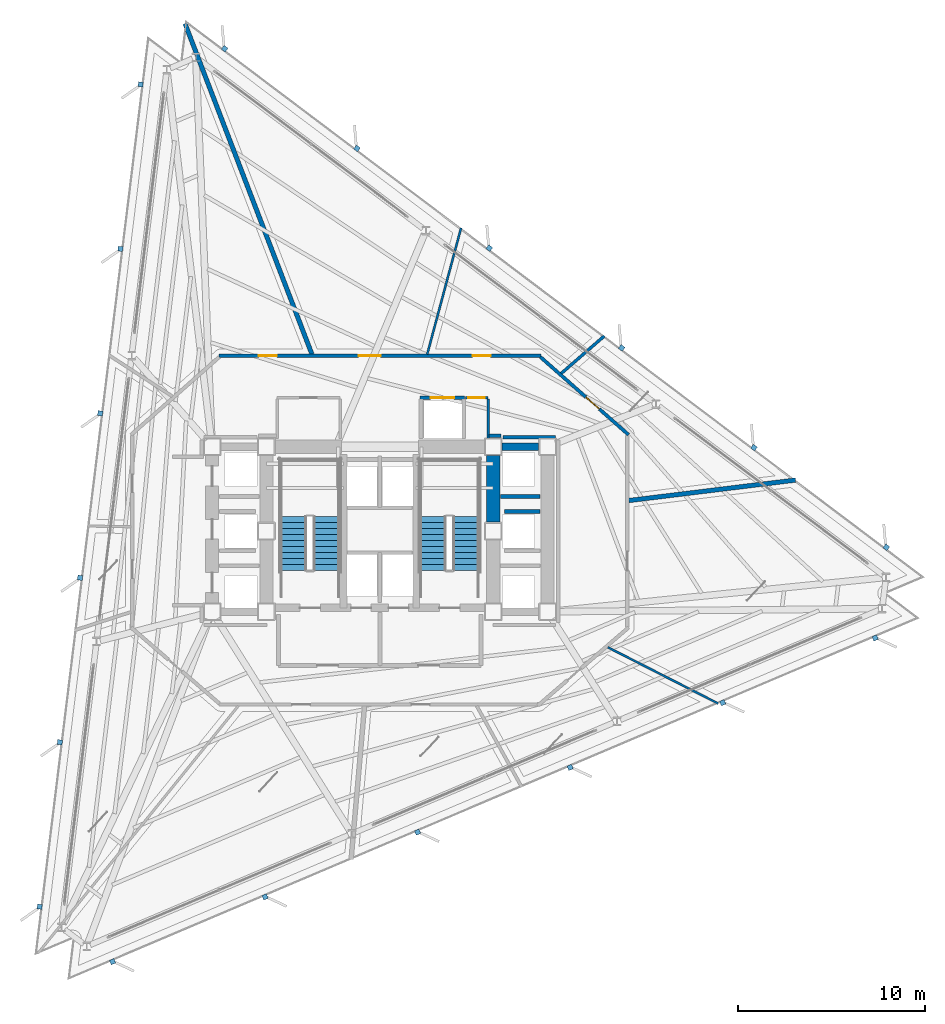
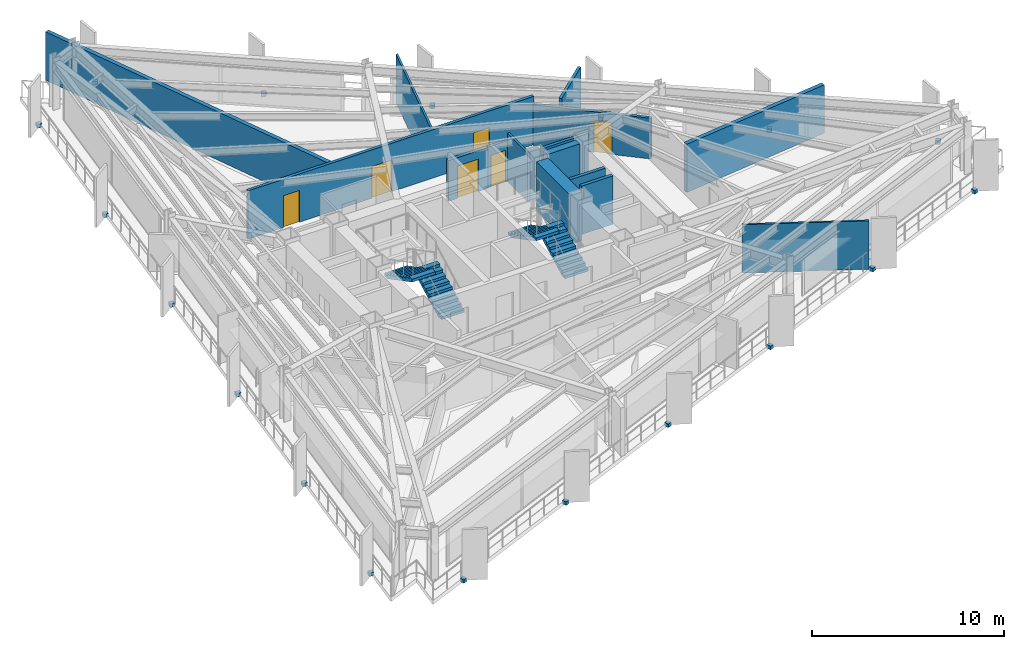
# One storey, part 8 of 13: 18 discrete accessories, 16 walls, 6 doors, 4 stair flights, 6 openings, 2 elements without a shape of their own.
"""IFC4 building model written with IfcOpenShell, lengths in metres."""

from ifc_helpers import new_model, si_unit, direction, frame, frame_2d, origin, origin_2d, place, context, subcontext, project, spatial, polyline, rectangle, outline, extrude, material, layer, layer_set, type_object, element, fill, aggregate, save


model = new_model("IFC4")

# Units and contexts
model_context = context("Model", 3, precision=1e-05, world=origin(), true_north=direction((0.0, 1.0)))
body_context = subcontext(model_context, "Body", "Model", "MODEL_VIEW")
ifc_project = project(units=[si_unit("LENGTHUNIT", "METRE"), si_unit("AREAUNIT", "SQUARE_METRE"), si_unit("VOLUMEUNIT", "CUBIC_METRE"), si_unit("PLANEANGLEUNIT", "RADIAN"), si_unit("MASSUNIT", "GRAM", prefix="KILO")], contexts=[model_context])

# Site, building, storey
site_placement = place(None, origin())
site = spatial("IfcSite", under=ifc_project, at=site_placement, CompositionType="ELEMENT")
building_placement = place(site_placement, origin())
building = spatial("IfcBuilding", under=site, at=building_placement, Name="Rocaltana Carrier Exchange", CompositionType="ELEMENT")
storey_placement = place(building_placement, frame((0.0, 0.0, 63.0400390625)))
storey = spatial("IfcBuildingStorey", under=building, at=storey_placement, Name="L19", CompositionType="ELEMENT", Elevation=63.0400390625)

# Walls
ifc_material_1 = material(Name="Double Acoustic Gypsum Partition", Category="gypsum")
ifc_layer_1 = layer(ifc_material_1, 0.159912109375)
ifc_layer_set_1 = layer_set([ifc_layer_1], Name="Double Acoustic Gypsum Partition")
wall_type_1 = type_object("IfcWallType", Name="Acoustic Studio Partition 160 EI60", PredefinedType="PARTITIONING", material=ifc_layer_set_1)
wall_1_placement = place(storey_placement, frame((9.68017578125, 8.414794921875, 0.0), z_axis=(0.0, 0.0, 1.0), x_axis=(0.754716123846, 0.656051501337, 0.0)))
element("IfcWall", 1, at=wall_1_placement, inside=storey, type_object=wall_type_1, Name="L19 Suite Divider Wall D7", PredefinedType="PARTITIONING", context=body_context, shape_type="SweptSolid", body=[
    extrude(rectangle(XDim=3.041015625, YDim=0.159912109375, at=frame_2d((1.5205078125, 0.0))), origin(), (0.0, 0.0, 1.0), 3.072998046875),
])
ifc_material_2 = material(Name="Concrete C50/60", Category="concrete")
ifc_layer_2 = layer(ifc_material_2, 0.39990234375)
ifc_layer_set_2 = layer_set([ifc_layer_2], Name="Concrete C50/60")
wall_type_2 = type_object("IfcWallType", Name="Core Internal Shear Wall 400", PredefinedType="SHEAR", material=ifc_layer_set_2)
wall_2_placement = place(storey_placement, frame((6.52490234375, 4.5, 0.0), z_axis=(0.0, 0.0, 1.0), x_axis=(1.0, 0.0, 0.0)))
element("IfcWall", 2, at=wall_2_placement, inside=storey, type_object=wall_type_2, Name="L19 Core Shear Wall CW-EWN", PredefinedType="SHEAR", context=body_context, shape_type="SweptSolid", body=[
    extrude(rectangle(XDim=1.9501953125, YDim=0.39990234375, at=frame_2d((0.97509765625, 0.0))), origin(), (0.0, 0.0, 1.0), 3.097900390625),
])
ifc_material_3 = material(Name="Concrete C60/75", Category="concrete")
ifc_layer_3 = layer(ifc_material_3, 0.699951171875)
ifc_layer_set_3 = layer_set([ifc_layer_3], Name="Concrete C60/75")
wall_type_3 = type_object("IfcWallType", Name="Core Shear Wall 700", PredefinedType="SHEAR", material=ifc_layer_set_3)
wall_3_placement = place(storey_placement, frame((6.050048828125, 0.47509765625, 0.0), z_axis=(0.0, 0.0, 1.0), x_axis=(0.0, 1.0, 0.0)))
element("IfcWall", 3, at=wall_3_placement, inside=storey, type_object=wall_type_3, Name="L19 Core Shear Wall CW-EN", PredefinedType="SHEAR", context=body_context, shape_type="SweptSolid", body=[
    extrude(rectangle(XDim=3.5498046875, YDim=0.699951171875, at=frame_2d((1.77490234375, 0.0))), origin(), (0.0, 0.0, 1.0), 3.097900390625),
])

# Wall, openings, doors
ifc_material_4 = material(Name="Gypsum & Steel Stud Partition", Category="steel")
ifc_layer_4 = layer(ifc_material_4, 0.179931640625)
ifc_layer_set_4 = layer_set([ifc_layer_4], Name="Gypsum & Steel Stud Partition")
wall_type_4 = type_object("IfcWallType", Name="Corridor Fire Partition 180 EI60", PredefinedType="PARTITIONING", material=ifc_layer_set_4)
wall_4_placement = place(storey_placement, frame((-8.590087890625, 9.35009765625, 0.0), z_axis=(0.0, 0.0, 1.0), x_axis=(1.0, 0.0, 0.0)))
wall_4 = element("IfcWall", 4, at=wall_4_placement, inside=storey, type_object=wall_type_4, Name="L19 Corridor Partition 1", PredefinedType="PARTITIONING", context=body_context, shape_type="SweptSolid", body=[
    extrude(rectangle(XDim=17.18017578125, YDim=0.179931640625, at=frame_2d((8.590087890625, 0.0))), origin(), (0.0, 0.0, 1.0), 3.072998046875),
])
opening_1_placement = place(wall_4_placement, frame((13.53955078125, 0.0, 0.0)))
opening_1 = element("IfcOpeningElement", 5, at=opening_1_placement, cuts=wall_4, Name="Opening D-RM098", PredefinedType="OPENING", context=body_context, shape_type="SweptSolid", body=[
    extrude(rectangle(XDim=0.9599609375, YDim=2.02001953125, at=frame_2d((0.47998046875, 1.010009765625))), frame((0.0, 0.099853515625, 0.0), z_axis=(0.0, -1.0, 0.0), x_axis=(1.0, 0.0, 0.0)), (0.0, 0.0, 1.0), 0.199951171875),
])
opening_2_placement = place(wall_4_placement, frame((7.453369140625, 0.0, 0.0)))
opening_2 = element("IfcOpeningElement", 6, at=opening_2_placement, cuts=wall_4, Name="Opening D-SU120", PredefinedType="OPENING", context=body_context, shape_type="SweptSolid", body=[
    extrude(rectangle(XDim=1.179931640625, YDim=2.02001953125, at=frame_2d((0.58984375, 1.010009765625))), frame((0.0, 0.099853515625, 0.0), z_axis=(0.0, -1.0, 0.0), x_axis=(1.0, 0.0, 0.0)), (0.0, 0.0, 1.0), 0.199951171875),
])
opening_3_placement = place(wall_4_placement, frame((2.132568359375, 0.0, 0.0)))
opening_3 = element("IfcOpeningElement", 7, at=opening_3_placement, cuts=wall_4, Name="Opening D-RM098", PredefinedType="OPENING", context=body_context, shape_type="SweptSolid", body=[
    extrude(rectangle(XDim=0.9599609375, YDim=2.02001953125, at=frame_2d((0.47998046875, 1.010009765625))), frame((0.0, 0.099853515625, 0.0), z_axis=(0.0, -1.0, 0.0), x_axis=(1.0, 0.0, 0.0)), (0.0, 0.0, 1.0), 0.199951171875),
])
ifc_material_5 = material(Name="Engineered Hardwood Timber", Category="wood")
door_type_1 = type_object("IfcDoorType", Name="Suite Double Entrance Door 1180x2020", OperationType="NOTDEFINED", PredefinedType="DOOR", material=ifc_material_5)
door_1_placement = place(opening_2_placement, origin())
door_1 = element("IfcDoor", 8, at=door_1_placement, inside=storey, type_object=door_type_1, Name="L19 Carrier Peering Suite Entrance Door", OperationType="SINGLE_SWING_RIGHT", OverallHeight=2.02001953125, OverallWidth=1.179931640625, PredefinedType="DOOR", context=body_context, shape_type="SweptSolid", body=[
    extrude(rectangle(XDim=1.179931640625, YDim=2.02001953125, at=frame_2d((0.58984375, 1.010009765625))), frame((0.0, 0.02490234375, 0.0), z_axis=(0.0, -1.0, 0.0), x_axis=(1.0, 0.0, 0.0)), (0.0, 0.0, 1.0), 0.050048828125),
])
fill(opening_2, door_1)
ifc_material_6 = material(Name="Engineered Hardwood Timber", Category="wood")
door_type_2 = type_object("IfcDoorType", Name="Workspace Single Door 960x2020", OperationType="NOTDEFINED", PredefinedType="DOOR", material=ifc_material_6)
door_2_placement = place(opening_1_placement, origin())
door_2 = element("IfcDoor", 9, at=door_2_placement, inside=storey, type_object=door_type_2, Name="L19 Quiet Focus Lounge Entrance Door", OperationType="SINGLE_SWING_LEFT", OverallHeight=2.02001953125, OverallWidth=0.9599609375, PredefinedType="DOOR", context=body_context, shape_type="SweptSolid", body=[
    extrude(rectangle(XDim=0.9599609375, YDim=2.02001953125, at=frame_2d((0.47998046875, 1.010009765625))), frame((0.0, 0.02490234375, 0.0), z_axis=(0.0, -1.0, 0.0), x_axis=(1.0, 0.0, 0.0)), (0.0, 0.0, 1.0), 0.050048828125),
])
fill(opening_1, door_2)
door_3_placement = place(opening_3_placement, origin())
door_3 = element("IfcDoor", 10, at=door_3_placement, inside=storey, type_object=door_type_2, Name="L19 Client Reception Foyer Entrance Door", OperationType="SINGLE_SWING_LEFT", OverallHeight=2.02001953125, OverallWidth=0.9599609375, PredefinedType="DOOR", context=body_context, shape_type="SweptSolid", body=[
    extrude(rectangle(XDim=0.9599609375, YDim=2.02001953125, at=frame_2d((0.47998046875, 1.010009765625))), frame((0.0, 0.02490234375, 0.0), z_axis=(0.0, -1.0, 0.0), x_axis=(1.0, 0.0, 0.0)), (0.0, 0.0, 1.0), 0.050048828125),
])
fill(opening_3, door_3)

# Wall, opening, door
wall_5_placement = place(storey_placement, frame((8.5673828125, 9.290283203125, 0.0), z_axis=(0.0, 0.0, 1.0), x_axis=(0.749626463267, -0.66186113768, 0.0)))
wall_5 = element("IfcWall", 11, at=wall_5_placement, inside=storey, type_object=wall_type_4, Name="L19 Corridor Partition 2", PredefinedType="PARTITIONING", context=body_context, shape_type="SweptSolid", body=[
    extrude(rectangle(XDim=6.27001953125, YDim=0.179931640625, at=frame_2d((3.135009765625, 0.0))), origin(), (0.0, 0.0, 1.0), 2.5869140625),
])
opening_4_placement = place(wall_5_placement, frame((3.23193359375, 0.0, 0.0)))
opening_4 = element("IfcOpeningElement", 12, at=opening_4_placement, cuts=wall_5, Name="Opening D-RM098", PredefinedType="OPENING", context=body_context, shape_type="SweptSolid", body=[
    extrude(rectangle(XDim=0.9599609375, YDim=2.02001953125, at=frame_2d((0.47998046875, 1.010009765625))), frame((0.0, 0.099853515625, 0.0), z_axis=(0.0, -1.0, 0.0), x_axis=(1.0, 0.0, 0.0)), (0.0, 0.0, 1.0), 0.199951171875),
])
door_4_placement = place(opening_4_placement, origin())
door_4 = element("IfcDoor", 13, at=door_4_placement, inside=storey, type_object=door_type_2, Name="L19 Client Reception Foyer Entrance Door", OperationType="SINGLE_SWING_RIGHT", OverallHeight=2.02001953125, OverallWidth=0.9599609375, PredefinedType="DOOR", context=body_context, shape_type="SweptSolid", body=[
    extrude(rectangle(XDim=0.9599609375, YDim=2.02001953125, at=frame_2d((0.47998046875, 1.010009765625))), frame((0.0, 0.02490234375, 0.0), z_axis=(0.0, -1.0, 0.0), x_axis=(1.0, 0.0, 0.0)), (0.0, 0.0, 1.0), 0.050048828125),
])
fill(opening_4, door_4)

# Walls
wall_6_placement = place(storey_placement, frame((9.3701171875, 5.010009765625, 0.0), z_axis=(0.0, 0.0, 1.0), x_axis=(-1.0, 0.0, 0.0)))
element("IfcWall", 14, at=wall_6_placement, inside=storey, type_object=wall_type_4, Name="L19 Corridor Partition 18", PredefinedType="PARTITIONING", context=body_context, shape_type="SweptSolid", body=[
    extrude(rectangle(XDim=2.807861328125, YDim=0.179931640625, at=frame_2d((1.40380859375, 0.0))), origin(), (0.0, 0.0, 1.0), 3.072998046875),
])
wall_7_placement = place(storey_placement, frame((6.469970703125, 5.080078125, 0.0), z_axis=(0.0, 0.0, 1.0), x_axis=(-1.0, 0.0, 0.0)))
element("IfcWall", 15, at=wall_7_placement, inside=storey, type_object=wall_type_4, Name="L19 Corridor Partition 19", PredefinedType="PARTITIONING", context=body_context, shape_type="SweptSolid", body=[
    extrude(rectangle(XDim=0.64990234375, YDim=0.179931640625, at=frame_2d((0.324951171875, 0.0))), origin(), (0.0, 0.0, 1.0), 3.072998046875),
])
ifc_material_7 = material(Name="Aluminium 6063-T6 & Acoustic Glass", Category="aluminium")
ifc_layer_5 = layer(ifc_material_7, 0.114990234375)
ifc_layer_set_5 = layer_set([ifc_layer_5], Name="Aluminium 6063-T6 & Acoustic Glass")
wall_type_5 = type_object("IfcWallType", Name="Demountable Glazed Lab Partition 115", PredefinedType="MOVABLE", material=ifc_layer_set_5)
wall_8_placement = place(storey_placement, frame((12.164306640625, -6.197998046875, 0.0), z_axis=(0.0, 0.0, 1.0), x_axis=(0.891002560884, -0.453998278079, 0.0)))
element("IfcWall", 16, at=wall_8_placement, inside=storey, type_object=wall_type_5, Name="L19 Suite Divider Wall D5", PredefinedType="MOVABLE", context=body_context, shape_type="SweptSolid", body=[
    extrude(rectangle(XDim=6.6083984375, YDim=0.114990234375, at=frame_2d((3.30419921875, 0.0))), origin(), (0.0, 0.0, 1.0), 3.072998046875),
])
wall_9_placement = place(storey_placement, frame((2.52685546875, 9.429931640625, 0.0), z_axis=(0.0, 0.0, 1.0), x_axis=(0.258803716415, 0.965929933468, 0.0)))
element("IfcWall", 17, at=wall_9_placement, inside=storey, type_object=wall_type_5, Name="L19 Suite Divider Wall D8", PredefinedType="MOVABLE", context=body_context, shape_type="SweptSolid", body=[
    extrude(rectangle(XDim=6.97705078125, YDim=0.114990234375, at=frame_2d((3.488525390625, 0.0))), origin(), (0.0, 0.0, 1.0), 3.072998046875),
])
ifc_material_8 = material(Name="Acoustic Calcium Silicate Partition", Category="gypsum")
ifc_layer_6 = layer(ifc_material_8, 0.239990234375)
ifc_layer_set_6 = layer_set([ifc_layer_6], Name="Acoustic Calcium Silicate Partition")
wall_type_6 = type_object("IfcWallType", Name="Heavy Lab Partition 240 EI90", PredefinedType="PARTITIONING", material=ifc_layer_set_6)
wall_10_placement = place(storey_placement, frame((13.280029296875, 1.630615234375, 0.0), z_axis=(0.0, 0.0, 1.0), x_axis=(0.992547039209, 0.121862114529, 0.0)))
element("IfcWall", 18, at=wall_10_placement, inside=storey, type_object=wall_type_6, Name="L19 Suite Divider Wall D6", PredefinedType="PARTITIONING", context=body_context, shape_type="SweptSolid", body=[
    extrude(rectangle(XDim=8.96337890625, YDim=0.239990234375, at=frame_2d((4.481689453125, 0.0))), origin(), (0.0, 0.0, 1.0), 3.072998046875),
])
wall_11_placement = place(storey_placement, frame((-3.619873046875, 9.429931640625, 0.0), z_axis=(0.0, 0.0, 1.0), x_axis=(-0.358366182081, 0.933581104961, 0.0)))
element("IfcWall", 19, at=wall_11_placement, inside=storey, type_object=wall_type_6, Name="L19 Suite Divider Wall D9", PredefinedType="PARTITIONING", context=body_context, shape_type="SweptSolid", body=[
    extrude(rectangle(XDim=18.90087890625, YDim=0.239990234375, at=frame_2d((9.450439453125, 0.0))), origin(), (0.0, 0.0, 1.0), 3.072998046875),
])

# Wall, opening, door
ifc_material_9 = material(Name="Reinforced Concrete Block C35/45", Category="concrete")
ifc_layer_7 = layer(ifc_material_9, 0.199951171875)
ifc_layer_set_7 = layer_set([ifc_layer_7], Name="Reinforced Concrete Block C35/45")
wall_type_7 = type_object("IfcWallType", Name="Lift Hoistway Enclosure Wall 200 EI120", PredefinedType="PARTITIONING", material=ifc_layer_set_7)
wall_12_placement = place(storey_placement, frame((2.14990234375, 7.1201171875, 0.0), z_axis=(0.0, 0.0, 1.0), x_axis=(1.0, 0.0, 0.0)))
wall_12 = element("IfcWall", 20, at=wall_12_placement, inside=storey, type_object=wall_type_7, Name="L19 Goods Lift Front Wall", PredefinedType="PARTITIONING", context=body_context, shape_type="SweptSolid", body=[
    extrude(rectangle(XDim=2.380126953125, YDim=0.199951171875, at=frame_2d((1.18994140625, 0.0))), origin(), (0.0, 0.0, 1.0), 2.5869140625),
])
opening_5_placement = place(wall_12_placement, frame((0.56005859375, 0.0, 0.0)))
opening_5 = element("IfcOpeningElement", 21, at=opening_5_placement, cuts=wall_12, Name="Opening LD-130", PredefinedType="OPENING", context=body_context, shape_type="SweptSolid", body=[
    extrude(rectangle(XDim=1.260009765625, YDim=2.06005859375, at=frame_2d((0.6298828125, 1.030029296875))), frame((0.0, 0.10986328125, 0.0), z_axis=(0.0, -1.0, 0.0), x_axis=(1.0, 0.0, 0.0)), (0.0, 0.0, 1.0), 0.219970703125),
])
ifc_material_10 = material(Name="Brushed Stainless Sliding Door Leaf", Category="steel")
door_type_3 = type_object("IfcDoorType", Name="Goods Lift Landing Sliding Door 1260x2060", OperationType="NOTDEFINED", PredefinedType="DOOR", material=ifc_material_10)
door_5_placement = place(opening_5_placement, origin())
door_5 = element("IfcDoor", 22, at=door_5_placement, inside=storey, type_object=door_type_3, Name="L19 Goods Lift GL-1 Landing Door", OperationType="SLIDING_TO_LEFT", OverallHeight=2.06005859375, OverallWidth=1.260009765625, PredefinedType="DOOR", context=body_context, shape_type="SweptSolid", body=[
    extrude(rectangle(XDim=1.260009765625, YDim=2.06005859375, at=frame_2d((0.6298828125, 1.030029296875))), frame((0.0, 0.02490234375, 0.0), z_axis=(0.0, -1.0, 0.0), x_axis=(1.0, 0.0, 0.0)), (0.0, 0.0, 1.0), 0.050048828125),
])
fill(opening_5, door_5)

# Walls
wall_13_placement = place(storey_placement, frame((6.449951171875, 1.85009765625, 0.0), z_axis=(0.0, 0.0, 1.0), x_axis=(1.0, 0.0, 0.0)))
element("IfcWall", 23, at=wall_13_placement, inside=storey, type_object=wall_type_7, Name="L19 Mid-Rise Shaft Divider 2", PredefinedType="PARTITIONING", context=body_context, shape_type="SweptSolid", body=[
    extrude(rectangle(XDim=2.10009765625, YDim=0.199951171875, at=frame_2d((1.050048828125, 0.0))), origin(), (0.0, 0.0, 1.0), 3.072998046875),
])
wall_14_placement = place(storey_placement, frame((6.639892578125, 1.050048828125, 0.0), z_axis=(0.0, 0.0, 1.0), x_axis=(1.0, 0.0, 0.0)))
element("IfcWall", 24, at=wall_14_placement, inside=storey, type_object=wall_type_7, Name="L19 Mid-Rise Center Shaft Wall North", PredefinedType="PARTITIONING", context=body_context, shape_type="SweptSolid", body=[
    extrude(rectangle(XDim=1.91015625, YDim=0.199951171875, at=frame_2d((0.955078125, 0.0))), origin(), (0.0, 0.0, 1.0), 3.072998046875),
])
ifc_material_11 = material(Name="Moisture-Resistant Masonry C30/37", Category="masonry")
ifc_layer_8 = layer(ifc_material_11, 0.139892578125)
ifc_layer_set_8 = layer_set([ifc_layer_8], Name="Moisture-Resistant Masonry C30/37")
wall_type_8 = type_object("IfcWallType", Name="Wet-Area Sanitary Partition 140", PredefinedType="PARTITIONING", material=ifc_layer_set_8)
wall_15_placement = place(storey_placement, frame((5.780029296875, 4.949951171875, 0.0), z_axis=(0.0, 0.0, 1.0), x_axis=(0.0, 1.0, 0.0)))
element("IfcWall", 25, at=wall_15_placement, inside=storey, type_object=wall_type_8, Name="L19 Restroom East Wall", PredefinedType="PARTITIONING", context=body_context, shape_type="SweptSolid", body=[
    extrude(rectangle(XDim=2.10009765625, YDim=0.139892578125, at=frame_2d((1.050048828125, 0.0))), origin(), (0.0, 0.0, 1.0), 3.072998046875),
])

# Wall, opening, door
wall_16_placement = place(storey_placement, frame((4.56005859375, 7.1201171875, 0.0), z_axis=(0.0, 0.0, 1.0), x_axis=(1.0, 0.0, 0.0)))
wall_16 = element("IfcWall", 26, at=wall_16_placement, inside=storey, type_object=wall_type_8, Name="L19 Restroom North Wall", PredefinedType="PARTITIONING", context=body_context, shape_type="SweptSolid", body=[
    extrude(rectangle(XDim=1.219970703125, YDim=0.139892578125, at=frame_2d((0.60986328125, 0.0))), origin(), (0.0, 0.0, 1.0), 2.5869140625),
])
opening_6_placement = place(wall_16_placement, frame((0.169921875, 0.0, 0.0)))
opening_6 = element("IfcOpeningElement", 27, at=opening_6_placement, cuts=wall_16, Name="Opening D-WC090", PredefinedType="OPENING", context=body_context, shape_type="SweptSolid", body=[
    extrude(rectangle(XDim=0.8798828125, YDim=2.02001953125, at=frame_2d((0.43994140625, 1.010009765625))), frame((0.0, 0.079833984375, 0.0), z_axis=(0.0, -1.0, 0.0), x_axis=(1.0, 0.0, 0.0)), (0.0, 0.0, 1.0), 0.159912109375),
])
ifc_material_12 = material(Name="High-Pressure Laminate Timber", Category="wood")
door_type_4 = type_object("IfcDoorType", Name="Restroom & Accessible WC Door 880x2020", OperationType="NOTDEFINED", PredefinedType="DOOR", material=ifc_material_12)
door_6_placement = place(opening_6_placement, origin())
door_6 = element("IfcDoor", 28, at=door_6_placement, inside=storey, type_object=door_type_4, Name="L19 Staff Restroom Door", OperationType="SINGLE_SWING_LEFT", OverallHeight=2.02001953125, OverallWidth=0.8798828125, PredefinedType="DOOR", context=body_context, shape_type="SweptSolid", body=[
    extrude(rectangle(XDim=0.8798828125, YDim=2.02001953125, at=frame_2d((0.43994140625, 1.010009765625))), frame((0.0, 0.02490234375, 0.0), z_axis=(0.0, -1.0, 0.0), x_axis=(1.0, 0.0, 0.0)), (0.0, 0.0, 1.0), 0.050048828125),
])
fill(opening_6, door_6)

# Stair, stair flights
ifc_material_13 = material(Name="Precast concrete C45/55", Category="concrete")
stair_type = type_object("IfcStairType", Name="Standard Dog-Leg Stair 160", PredefinedType="HALF_TURN_STAIR", material=ifc_material_13)
stair_1_placement = place(storey_placement, origin())
stair_1 = element("IfcStair", 29, at=stair_1_placement, inside=storey, type_object=stair_type, Name="L19 Core West Exit Stair ST-1", PredefinedType="HALF_TURN_STAIR")
ifc_material_14 = material(Name="Precast concrete C45/55", Category="concrete")
stair_flight_type = type_object("IfcStairFlightType", Name="Precast Stair Flight 160", PredefinedType="STRAIGHT", material=ifc_material_14)
stair_flight_1_placement = place(storey_placement, frame((-2.840087890625, -2.10009765625, 0.0), z_axis=(0.0, 0.0, 1.0), x_axis=(0.0, 1.0, 0.0)))
stair_flight_1 = element("IfcStairFlight", 30, at=stair_flight_1_placement, type_object=stair_flight_type, Name="ST-1 flight 1", NumberOfRisers=10, NumberOfTreads=9, PredefinedType="STRAIGHT", RiserHeight=0.168, TreadLength=0.32, context=body_context, shape_type="SweptSolid", body=[
    extrude(outline(polyline([(0.0, 0.0), (0.0, 0.16796875), (0.320068359375, 0.16796875), (0.320068359375, 0.3359375), (0.639892578125, 0.3359375), (0.639892578125, 0.50390625), (0.9599609375, 0.50390625), (0.9599609375, 0.672119140625), (1.280029296875, 0.672119140625), (1.280029296875, 0.840087890625), (1.60009765625, 0.840087890625), (1.60009765625, 1.008056640625), (1.919921875, 1.008056640625), (1.919921875, 1.176025390625), (2.239990234375, 1.176025390625), (2.239990234375, 1.343994140625), (2.56005859375, 1.343994140625), (2.56005859375, 1.511962890625), (2.8798828125, 1.511962890625), (2.8798828125, 1.679931640625), (2.8798828125, 1.331298828125), (0.343994140625, 0.0), (0.0, 0.0)])), frame((0.0, 0.699951171875, 0.0), z_axis=(0.0, -1.0, 0.0), x_axis=(1.0, 0.0, 0.0)), (0.0, 0.0, 1.0), 1.39990234375),
])
stair_flight_2_placement = place(storey_placement, frame((-4.60009765625, 0.780029296875, 1.679931640625), z_axis=(0.0, 0.0, 1.0), x_axis=(0.0, -1.0, 0.0)))
stair_flight_2 = element("IfcStairFlight", 31, at=stair_flight_2_placement, type_object=stair_flight_type, Name="ST-1 flight 2", NumberOfRisers=10, NumberOfTreads=9, PredefinedType="STRAIGHT", RiserHeight=0.168, TreadLength=0.32, context=body_context, shape_type="SweptSolid", body=[
    extrude(outline(polyline([(0.0, 0.0), (0.0, 0.16796875), (0.320068359375, 0.16796875), (0.320068359375, 0.3359375), (0.639892578125, 0.3359375), (0.639892578125, 0.50390625), (0.9599609375, 0.50390625), (0.9599609375, 0.672119140625), (1.280029296875, 0.672119140625), (1.280029296875, 0.840087890625), (1.60009765625, 0.840087890625), (1.60009765625, 1.008056640625), (1.919921875, 1.008056640625), (1.919921875, 1.176025390625), (2.239990234375, 1.176025390625), (2.239990234375, 1.343994140625), (2.56005859375, 1.343994140625), (2.56005859375, 1.511962890625), (2.8798828125, 1.511962890625), (2.8798828125, 1.679931640625), (2.8798828125, 1.331298828125), (0.343994140625, 0.0), (0.0, 0.0)])), frame((0.0, 0.699951171875, 0.0), z_axis=(0.0, -1.0, 0.0), x_axis=(1.0, 0.0, 0.0)), (0.0, 0.0, 1.0), 1.39990234375),
])
aggregate(stair_1, [stair_flight_1, stair_flight_2])

stair_2_placement = place(storey_placement, origin())
stair_2 = element("IfcStair", 32, at=stair_2_placement, inside=storey, type_object=stair_type, Name="L19 Core East Exit Stair ST-2", PredefinedType="HALF_TURN_STAIR")
stair_flight_3_placement = place(storey_placement, frame((4.60009765625, -2.10009765625, 0.0), z_axis=(0.0, 0.0, 1.0), x_axis=(0.0, 1.0, 0.0)))
stair_flight_3 = element("IfcStairFlight", 33, at=stair_flight_3_placement, type_object=stair_flight_type, Name="ST-2 flight 1", NumberOfRisers=10, NumberOfTreads=9, PredefinedType="STRAIGHT", RiserHeight=0.168, TreadLength=0.32, context=body_context, shape_type="SweptSolid", body=[
    extrude(outline(polyline([(0.0, 0.0), (0.0, 0.16796875), (0.320068359375, 0.16796875), (0.320068359375, 0.3359375), (0.639892578125, 0.3359375), (0.639892578125, 0.50390625), (0.9599609375, 0.50390625), (0.9599609375, 0.672119140625), (1.280029296875, 0.672119140625), (1.280029296875, 0.840087890625), (1.60009765625, 0.840087890625), (1.60009765625, 1.008056640625), (1.919921875, 1.008056640625), (1.919921875, 1.176025390625), (2.239990234375, 1.176025390625), (2.239990234375, 1.343994140625), (2.56005859375, 1.343994140625), (2.56005859375, 1.511962890625), (2.8798828125, 1.511962890625), (2.8798828125, 1.679931640625), (2.8798828125, 1.331298828125), (0.343994140625, 0.0), (0.0, 0.0)])), frame((0.0, 0.699951171875, 0.0), z_axis=(0.0, -1.0, 0.0), x_axis=(1.0, 0.0, 0.0)), (0.0, 0.0, 1.0), 1.39990234375),
])
stair_flight_4_placement = place(storey_placement, frame((2.840087890625, 0.780029296875, 1.679931640625), z_axis=(0.0, 0.0, 1.0), x_axis=(0.0, -1.0, 0.0)))
stair_flight_4 = element("IfcStairFlight", 34, at=stair_flight_4_placement, type_object=stair_flight_type, Name="ST-2 flight 2", NumberOfRisers=10, NumberOfTreads=9, PredefinedType="STRAIGHT", RiserHeight=0.168, TreadLength=0.32, context=body_context, shape_type="SweptSolid", body=[
    extrude(outline(polyline([(0.0, 0.0), (0.0, 0.16796875), (0.320068359375, 0.16796875), (0.320068359375, 0.3359375), (0.639892578125, 0.3359375), (0.639892578125, 0.50390625), (0.9599609375, 0.50390625), (0.9599609375, 0.672119140625), (1.280029296875, 0.672119140625), (1.280029296875, 0.840087890625), (1.60009765625, 0.840087890625), (1.60009765625, 1.008056640625), (1.919921875, 1.008056640625), (1.919921875, 1.176025390625), (2.239990234375, 1.176025390625), (2.239990234375, 1.343994140625), (2.56005859375, 1.343994140625), (2.56005859375, 1.511962890625), (2.8798828125, 1.511962890625), (2.8798828125, 1.679931640625), (2.8798828125, 1.331298828125), (0.343994140625, 0.0), (0.0, 0.0)])), frame((0.0, 0.699951171875, 0.0), z_axis=(0.0, -1.0, 0.0), x_axis=(1.0, 0.0, 0.0)), (0.0, 0.0, 1.0), 1.39990234375),
])
aggregate(stair_2, [stair_flight_3, stair_flight_4])

# Discrete accessories
ifc_material_15 = material(Name="Brushed Architectural Stainless Metal", Category="steel")
ifc_layer_9 = layer(ifc_material_15, 0.219970703125)
ifc_layer_set_9 = layer_set([ifc_layer_9], Name="Brushed Architectural Stainless Metal")
discrete_accessory_type = type_object("IfcDiscreteAccessoryType", Name="Stainless Fin Slab-Edge Bracket 260x260x220", PredefinedType="BRACKET", material=ifc_layer_set_9)
for number, where, z_axis, x_axis, name in (
    (35, (27.0205078125, -0.86474609375, -0.2099609375), (0.0, 0.0, 1.0), (-0.798635510047, 0.601815023152, 0.0), "L19 Sandstone Fin Edge Bracket F1-01"),
    (36, (19.960693359375, 4.455322265625, -0.2099609375), (0.0, 0.0, 1.0), (-0.798635510047, 0.601815023152, 0.0), "L19 Sandstone Fin Edge Bracket F1-02"),
    (37, (12.900634765625, 9.775390625, -0.2099609375), (0.0, 0.0, 1.0), (-0.798635510047, 0.601815023152, 0.0), "L19 Sandstone Fin Edge Bracket F1-03"),
    (38, (5.8408203125, 15.095458984375, -0.2099609375), (0.0, 0.0, 1.0), (-0.798635510047, 0.601815023152, 0.0), "L19 Sandstone Fin Edge Bracket F1-04"),
    (39, (-1.21923828125, 20.415283203125, -0.2099609375), (0.0, 0.0, 1.0), (-0.798635510047, 0.601815023152, 0.0), "L19 Sandstone Fin Edge Bracket F1-05"),
    (40, (-8.279296875, 25.7353515625, -0.2099609375), (0.0, 0.0, 1.0), (-0.798635510047, 0.601815023152, 0.0), "L19 Sandstone Fin Edge Bracket F1-06"),
    (41, (-12.76123046875, 23.8330078125, -0.2099609375), (0.0, 0.0, 1.0), (-0.121869343405, -0.992546151641, 0.0), "L19 Sandstone Fin Edge Bracket F2-01"),
    (42, (-13.838623046875, 15.058837890625, -0.2099609375), (0.0, 0.0, 1.0), (-0.121869343405, -0.992546151641, 0.0), "L19 Sandstone Fin Edge Bracket F2-02"),
    (43, (-14.916015625, 6.28466796875, -0.2099609375), (0.0, 0.0, 1.0), (-0.121869343405, -0.992546151641, 0.0), "L19 Sandstone Fin Edge Bracket F2-03"),
    (44, (-15.993408203125, -2.489501953125, -0.2099609375), (0.0, 0.0, 1.0), (-0.121869343405, -0.992546151641, 0.0), "L19 Sandstone Fin Edge Bracket F2-04"),
    (45, (-17.070556640625, -11.263671875, -0.2099609375), (0.0, 0.0, 1.0), (-0.121869343405, -0.992546151641, 0.0), "L19 Sandstone Fin Edge Bracket F2-05"),
    (46, (-18.14794921875, -20.03759765625, -0.2099609375), (0.0, 0.0, 1.0), (-0.121869343405, -0.992546151641, 0.0), "L19 Sandstone Fin Edge Bracket F2-06"),
    (47, (-14.25927734375, -22.968017578125, -0.2099609375), (0.0, 0.0, 1.0), (0.920504853452, 0.390731128489, 0.0), "L19 Sandstone Fin Edge Bracket F3-01"),
    (48, (-6.121826171875, -19.513916015625, -0.2099609375), (0.0, 0.0, 1.0), (0.920504853452, 0.390731128489, 0.0), "L19 Sandstone Fin Edge Bracket F3-02"),
    (49, (2.015380859375, -16.06005859375, -0.2099609375), (0.0, 0.0, 1.0), (0.920504853452, 0.390731128489, 0.0), "L19 Sandstone Fin Edge Bracket F3-03"),
    (50, (10.152587890625, -12.60595703125, -0.2099609375), (0.0, 0.0, 1.0), (0.920504853452, 0.390731128489, 0.0), "L19 Sandstone Fin Edge Bracket F3-04"),
    (51, (18.289794921875, -9.15185546875, -0.2099609375), (0.0, 0.0, 1.0), (0.920504853452, 0.390731128489, 0.0), "L19 Sandstone Fin Edge Bracket F3-05"),
    (52, (26.427001953125, -5.69775390625, -0.2099609375), (0.0, 0.0, 1.0), (0.920504853452, 0.390731128489, 0.0), "L19 Sandstone Fin Edge Bracket F3-06"),
):
    element("IfcDiscreteAccessory", number, at=place(storey_placement, frame(where, z_axis=z_axis, x_axis=x_axis)), inside=storey, type_object=discrete_accessory_type, Name=name, PredefinedType="BRACKET", context=body_context, shape_type="SweptSolid", body=[
        extrude(rectangle(XDim=0.260009765625, YDim=0.260009765625, at=origin_2d()), origin(), (0.0, 0.0, 1.0), 0.219970703125),
    ])

save(model, "model.ifc")
